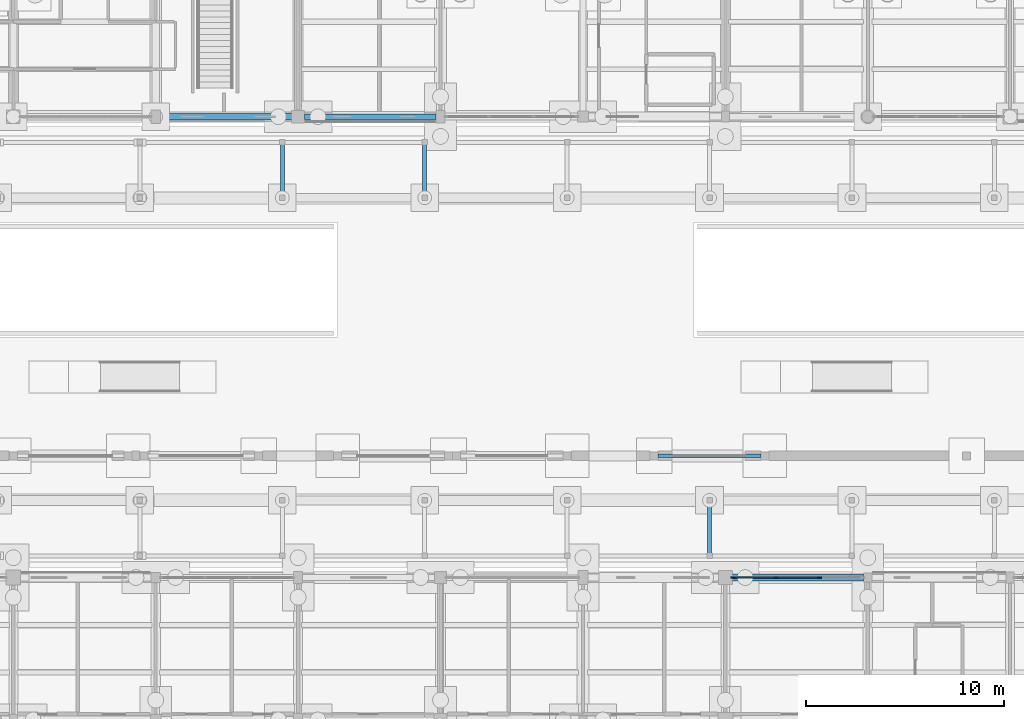
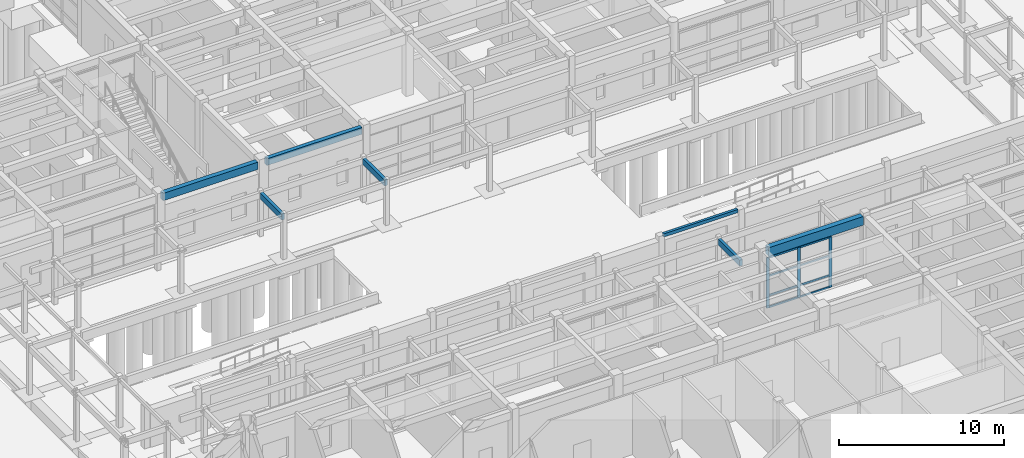
# One storey, part 48 of 143: 11 members, 7 beams, 1 element without a shape of its own.
"""IFC4 building model written with IfcOpenShell, lengths in metres."""

from ifc_helpers import new_model, si_unit, direction, frame, origin, origin_2d, place, context, subcontext, project, spatial, rectangle, extrude, material, material_profile, profile_set, type_object, element, aggregate, save


model = new_model("IFC4")

# Units and contexts
model_context = context("Model", 3, precision=1e-05, world=origin(), true_north=direction((0.0, 1.0)))
body_context = subcontext(model_context, "Body", "Model", "MODEL_VIEW")
ifc_project = project(units=[si_unit("LENGTHUNIT", "METRE"), si_unit("AREAUNIT", "SQUARE_METRE"), si_unit("VOLUMEUNIT", "CUBIC_METRE"), si_unit("PLANEANGLEUNIT", "RADIAN"), si_unit("MASSUNIT", "GRAM", prefix="KILO")], contexts=[model_context])

# Site, building, storey
site_placement = place(None, origin())
site = spatial("IfcSite", under=ifc_project, at=site_placement, CompositionType="ELEMENT")
building_placement = place(site_placement, origin())
building = spatial("IfcBuilding", under=site, at=building_placement, Name="Steenspoor Specialist Clinic", CompositionType="ELEMENT")
storey_placement = place(building_placement, origin())
storey = spatial("IfcBuildingStorey", under=building, at=storey_placement, Name="L00", CompositionType="ELEMENT", Elevation=0.0)

# Beams
ifc_material_1 = material(Name="Glulam GL28h", Category="wood")
ifc_material_profile_1 = material_profile(ifc_material_1, rectangle(XDim=0.199951171875, YDim=0.43994140625, at=origin_2d()), Name="GL28H-200X440")
ifc_profile_set_1 = profile_set([ifc_material_profile_1], Name="Glulam GL28h")
beam_type_1 = type_object("IfcBeamType", Name="BM-GL-200X440", PredefinedType="BEAM", material=ifc_profile_set_1)
for number, where, z_axis, x_axis, name in (
    (1, (73.199951171875, 61.1298828125, 3.014892578125), (0.0, 1.0, 0.0), (-1.0, 0.0, 0.0), "BM-WK4-T-732"),
    (2, (80.39990234375, 61.1298828125, 3.014892578125), (0.0, 1.0, 0.0), (-1.0, 0.0, 0.0), "BM-WK4-T-804"),
):
    element("IfcBeam", number, at=place(storey_placement, frame(where, z_axis=z_axis, x_axis=x_axis)), inside=storey, type_object=beam_type_1, Name=name, PredefinedType="BEAM", context=body_context, shape_type="SweptSolid", body=[
        extrude(rectangle(XDim=0.199951171875, YDim=0.43994140625, at=origin_2d()), origin(), (0.0, 0.0, 1.0), 2.64013671875),
    ])
beam_1_placement = place(storey_placement, frame((94.800048828125, 43.030029296875, 3.014892578125), z_axis=(0.0, 1.0, 0.0), x_axis=(-1.0, 0.0, 0.0)))
element("IfcBeam", 3, at=beam_1_placement, inside=storey, type_object=beam_type_1, Name="BM-WK5-T-948", PredefinedType="BEAM", context=body_context, shape_type="SweptSolid", body=[
    extrude(rectangle(XDim=0.199951171875, YDim=0.43994140625, at=origin_2d()), origin(), (0.0, 0.0, 1.0), 2.639892578125),
])

# Curtain wall, members
ifc_material_2 = material(Name="Thermally broken aluminium and low-emissivity glass", Category="aluminium")
curtain_wall_type = type_object("IfcCurtainWallType", Name="CW-TYP-480X355", PredefinedType="USERDEFINED", material=ifc_material_2)
curtain_wall_placement = place(storey_placement, origin())
curtain_wall = element("IfcCurtainWall", 4, at=curtain_wall_placement, inside=storey, type_object=curtain_wall_type, Name="Unitised Curtain Wall CW-V1-L00-012", ObjectType="UNITISED GLAZING", PredefinedType="USERDEFINED")
ifc_material_3 = material(Name="Thermally broken aluminium 6063-T6", Category="aluminium")
ifc_material_profile_2 = material_profile(ifc_material_3, rectangle(XDim=0.080078125, YDim=0.219970703125, at=origin_2d()), Name="CWM-80X220")
ifc_profile_set_2 = profile_set([ifc_material_profile_2], Name="Thermally broken aluminium 6063-T6")
member_type_1 = type_object("IfcMemberType", Name="CW-MULL-80X220", PredefinedType="MULLION", material=ifc_profile_set_2)
member_1_placement = place(storey_placement, frame((95.989990234375, 41.85009765625, 0.0), z_axis=(0.0, 0.0, 1.0), x_axis=(0.0, 1.0, 0.0)))
member_1 = element("IfcMember", 5, at=member_1_placement, type_object=member_type_1, Name="CW-12 mullion 1", PredefinedType="MULLION", context=body_context, shape_type="SweptSolid", body=[
    extrude(rectangle(XDim=0.080078125, YDim=0.219970703125, at=origin_2d()), origin(), (0.0, 0.0, 1.0), 3.72998046875),
])
member_2_placement = place(storey_placement, frame((98.158447265625, 41.85009765625, 0.0), z_axis=(0.0, 0.0, 1.0), x_axis=(0.0, 1.0, 0.0)))
member_2 = element("IfcMember", 6, at=member_2_placement, type_object=member_type_1, Name="CW-12 mullion 2", PredefinedType="MULLION", context=body_context, shape_type="SweptSolid", body=[
    extrude(rectangle(XDim=0.080078125, YDim=0.219970703125, at=origin_2d()), origin(), (0.0, 0.0, 1.0), 3.72998046875),
])
member_3_placement = place(storey_placement, frame((100.36669921875, 41.85009765625, 0.0), z_axis=(0.0, 0.0, 1.0), x_axis=(0.0, 1.0, 0.0)))
member_3 = element("IfcMember", 7, at=member_3_placement, type_object=member_type_1, Name="CW-12 mullion 3", PredefinedType="MULLION", context=body_context, shape_type="SweptSolid", body=[
    extrude(rectangle(XDim=0.080078125, YDim=0.219970703125, at=origin_2d()), origin(), (0.0, 0.0, 1.0), 3.72998046875),
])
ifc_material_profile_3 = material_profile(ifc_material_3, rectangle(XDim=0.06494140625, YDim=0.1298828125, at=origin_2d()), Name="CWT-65X130")
ifc_profile_set_3 = profile_set([ifc_material_profile_3], Name="Thermally broken aluminium 6063-T6")
member_type_2 = type_object("IfcMemberType", Name="CW-TRAN-65X130", PredefinedType="USERDEFINED", material=ifc_profile_set_3)
member_4_placement = place(storey_placement, frame((96.030029296875, 41.85009765625, 0.032470703125), z_axis=(1.0, 0.0, 0.0), x_axis=(0.0, 1.0, 0.0)))
member_4 = element("IfcMember", 8, at=member_4_placement, type_object=member_type_2, Name="CW-12 transom 1.1", ObjectType="TRANSOM", PredefinedType="USERDEFINED", context=body_context, shape_type="SweptSolid", body=[
    extrude(rectangle(XDim=0.06494140625, YDim=0.1298828125, at=origin_2d()), origin(), (0.0, 0.0, 1.0), 2.08837890625),
])
member_5_placement = place(storey_placement, frame((96.030029296875, 41.85009765625, 0.89990234375), z_axis=(1.0, 0.0, 0.0), x_axis=(0.0, 1.0, 0.0)))
member_5 = element("IfcMember", 9, at=member_5_placement, type_object=member_type_2, Name="CW-12 transom 1.2", ObjectType="TRANSOM", PredefinedType="USERDEFINED", context=body_context, shape_type="SweptSolid", body=[
    extrude(rectangle(XDim=0.06494140625, YDim=0.1298828125, at=origin_2d()), origin(), (0.0, 0.0, 1.0), 2.08837890625),
])
member_6_placement = place(storey_placement, frame((96.030029296875, 41.85009765625, 2.35009765625), z_axis=(1.0, 0.0, 0.0), x_axis=(0.0, 1.0, 0.0)))
member_6 = element("IfcMember", 10, at=member_6_placement, type_object=member_type_2, Name="CW-12 transom 1.3", ObjectType="TRANSOM", PredefinedType="USERDEFINED", context=body_context, shape_type="SweptSolid", body=[
    extrude(rectangle(XDim=0.06494140625, YDim=0.1298828125, at=origin_2d()), origin(), (0.0, 0.0, 1.0), 2.08837890625),
])
member_7_placement = place(storey_placement, frame((96.030029296875, 41.85009765625, 3.697509765625), z_axis=(1.0, 0.0, 0.0), x_axis=(0.0, 1.0, 0.0)))
member_7 = element("IfcMember", 11, at=member_7_placement, type_object=member_type_2, Name="CW-12 transom 1.4", ObjectType="TRANSOM", PredefinedType="USERDEFINED", context=body_context, shape_type="SweptSolid", body=[
    extrude(rectangle(XDim=0.06494140625, YDim=0.1298828125, at=origin_2d()), origin(), (0.0, 0.0, 1.0), 2.08837890625),
])
member_8_placement = place(storey_placement, frame((98.1982421875, 41.85009765625, 0.032470703125), z_axis=(1.0, 0.0, 0.0), x_axis=(0.0, 1.0, 0.0)))
member_8 = element("IfcMember", 12, at=member_8_placement, type_object=member_type_2, Name="CW-12 transom 2.1", ObjectType="TRANSOM", PredefinedType="USERDEFINED", context=body_context, shape_type="SweptSolid", body=[
    extrude(rectangle(XDim=0.06494140625, YDim=0.1298828125, at=origin_2d()), origin(), (0.0, 0.0, 1.0), 2.12841796875),
])
member_9_placement = place(storey_placement, frame((98.1982421875, 41.85009765625, 0.89990234375), z_axis=(1.0, 0.0, 0.0), x_axis=(0.0, 1.0, 0.0)))
member_9 = element("IfcMember", 13, at=member_9_placement, type_object=member_type_2, Name="CW-12 transom 2.2", ObjectType="TRANSOM", PredefinedType="USERDEFINED", context=body_context, shape_type="SweptSolid", body=[
    extrude(rectangle(XDim=0.06494140625, YDim=0.1298828125, at=origin_2d()), origin(), (0.0, 0.0, 1.0), 2.12841796875),
])
member_10_placement = place(storey_placement, frame((98.1982421875, 41.85009765625, 2.35009765625), z_axis=(1.0, 0.0, 0.0), x_axis=(0.0, 1.0, 0.0)))
member_10 = element("IfcMember", 14, at=member_10_placement, type_object=member_type_2, Name="CW-12 transom 2.3", ObjectType="TRANSOM", PredefinedType="USERDEFINED", context=body_context, shape_type="SweptSolid", body=[
    extrude(rectangle(XDim=0.06494140625, YDim=0.1298828125, at=origin_2d()), origin(), (0.0, 0.0, 1.0), 2.12841796875),
])
member_11_placement = place(storey_placement, frame((98.1982421875, 41.85009765625, 3.697509765625), z_axis=(1.0, 0.0, 0.0), x_axis=(0.0, 1.0, 0.0)))
member_11 = element("IfcMember", 15, at=member_11_placement, type_object=member_type_2, Name="CW-12 transom 2.4", ObjectType="TRANSOM", PredefinedType="USERDEFINED", context=body_context, shape_type="SweptSolid", body=[
    extrude(rectangle(XDim=0.06494140625, YDim=0.1298828125, at=origin_2d()), origin(), (0.0, 0.0, 1.0), 2.12841796875),
])
aggregate(curtain_wall, [member_1, member_2, member_3, member_4, member_5, member_6, member_7, member_8, member_9, member_10, member_11])

# Beams
ifc_material_4 = material(Name="Concrete C35/45", Category="concrete")
ifc_material_profile_4 = material_profile(ifc_material_4, rectangle(XDim=0.179931640625, YDim=0.239990234375, at=origin_2d()), Name="RC-LN-180X240")
ifc_profile_set_4 = profile_set([ifc_material_profile_4], Name="Concrete C35/45")
beam_type_2 = type_object("IfcBeamType", Name="LN-RC-180X240", PredefinedType="LINTEL", material=ifc_profile_set_4)
beam_2_placement = place(storey_placement, frame((92.195068359375, 48.0, 2.97998046875), z_axis=(1.0, 0.0, 0.0), x_axis=(0.0, 1.0, 0.0)))
element("IfcBeam", 16, at=beam_2_placement, inside=storey, type_object=beam_type_2, Name="Portal Opening Lintel GT06", PredefinedType="LINTEL", context=body_context, shape_type="SweptSolid", body=[
    extrude(rectangle(XDim=0.179931640625, YDim=0.239990234375, at=origin_2d()), origin(), (0.0, 0.0, 1.0), 5.2099609375),
])
ifc_material_profile_5 = material_profile(ifc_material_4, rectangle(XDim=0.280029296875, YDim=0.5, at=origin_2d()), Name="RC-SP-280X500")
ifc_profile_set_5 = profile_set([ifc_material_profile_5], Name="Concrete C35/45")
beam_type_3 = type_object("IfcBeamType", Name="SP-RC-280X500", PredefinedType="SPANDREL", material=ifc_profile_set_5)
beam_3_placement = place(storey_placement, frame((74.320068359375, 65.14990234375, 4.300048828125), z_axis=(1.0, 0.0, 0.0), x_axis=(0.0, 1.0, 0.0)))
element("IfcBeam", 17, at=beam_3_placement, inside=storey, type_object=beam_type_3, Name="BM-V4-L00-X0289", PredefinedType="SPANDREL", context=body_context, shape_type="SweptSolid", body=[
    extrude(rectangle(XDim=0.280029296875, YDim=0.5, at=origin_2d()), origin(), (0.0, 0.0, 1.0), 6.659912109375),
])
ifc_material_profile_6 = material_profile(ifc_material_4, rectangle(XDim=0.320068359375, YDim=0.5400390625, at=origin_2d()), Name="RC-SP-320X540")
ifc_profile_set_6 = profile_set([ifc_material_profile_6], Name="Concrete C35/45")
beam_type_4 = type_object("IfcBeamType", Name="SP-RC-320X540", PredefinedType="SPANDREL", material=ifc_profile_set_6)
beam_4_placement = place(storey_placement, frame((67.044921875, 65.14990234375, 4.280029296875), z_axis=(1.0, 0.0, 0.0), x_axis=(0.0, 1.0, 0.0)))
element("IfcBeam", 18, at=beam_4_placement, inside=storey, type_object=beam_type_4, Name="BM-V4-L00-X0288", PredefinedType="SPANDREL", context=body_context, shape_type="SweptSolid", body=[
    extrude(rectangle(XDim=0.320068359375, YDim=0.5400390625, at=origin_2d()), origin(), (0.0, 0.0, 1.0), 6.635009765625),
])
ifc_material_profile_7 = material_profile(ifc_material_4, rectangle(XDim=0.360107421875, YDim=0.639892578125, at=origin_2d()), Name="RC-SP-360X640")
ifc_profile_set_7 = profile_set([ifc_material_profile_7], Name="Concrete C35/45")
beam_type_5 = type_object("IfcBeamType", Name="SP-RC-360X640", PredefinedType="SPANDREL", material=ifc_profile_set_7)
beam_5_placement = place(storey_placement, frame((95.945068359375, 41.85009765625, 4.22998046875), z_axis=(1.0, 0.0, 0.0), x_axis=(0.0, 1.0, 0.0)))
element("IfcBeam", 19, at=beam_5_placement, inside=storey, type_object=beam_type_5, Name="BM-V1-L00-X0037", PredefinedType="SPANDREL", context=body_context, shape_type="SweptSolid", body=[
    extrude(rectangle(XDim=0.360107421875, YDim=0.639892578125, at=origin_2d()), origin(), (0.0, 0.0, 1.0), 6.635009765625),
])

save(model, "model.ifc")
